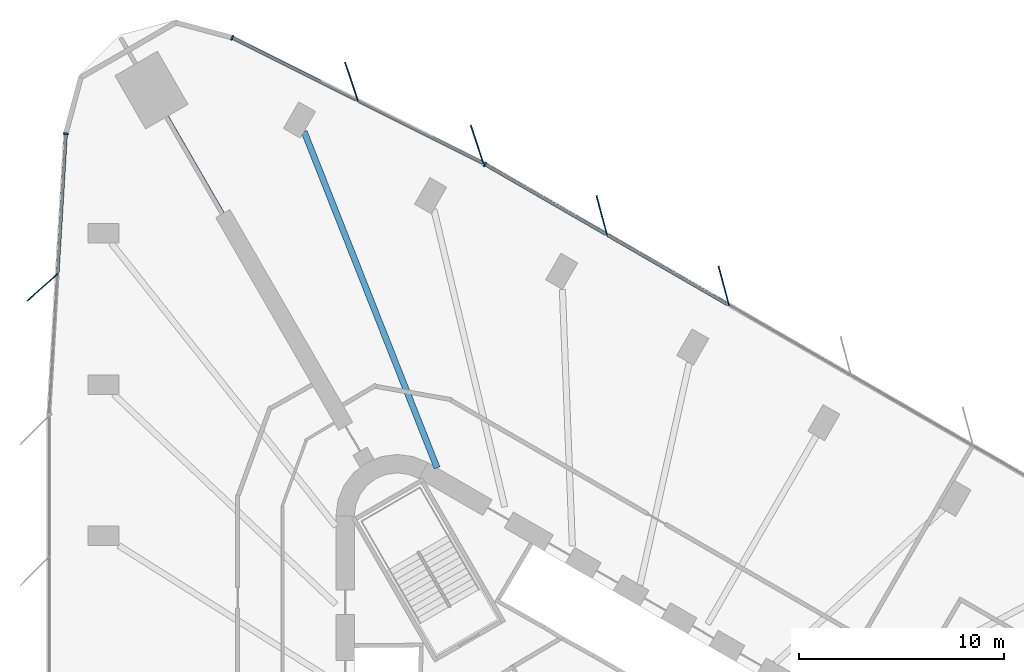
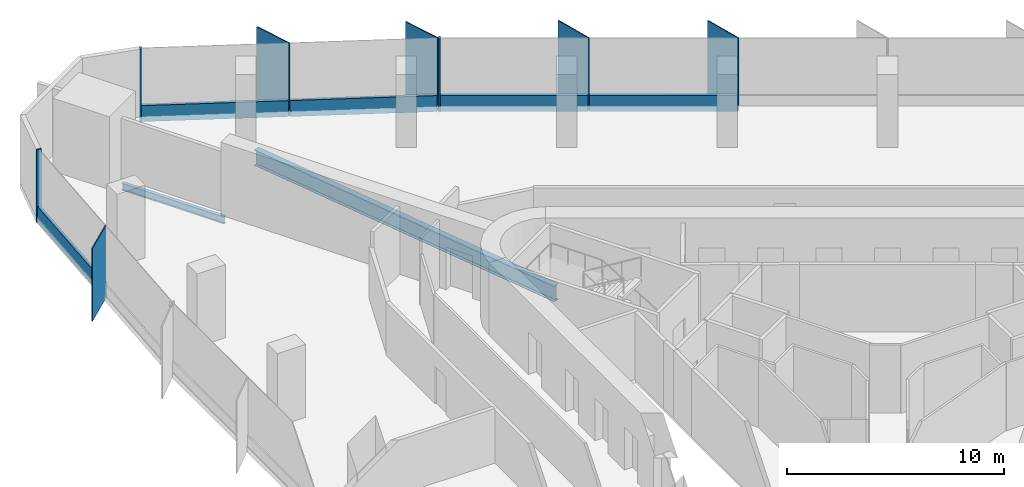
# One storey, part 7 of 14: 13 members, 2 beams, 3 elements without a shape of their own.
"""IFC4 building model written with IfcOpenShell, lengths in metres."""

from ifc_helpers import new_model, si_unit, direction, frame, origin, origin_2d, place, context, subcontext, project, spatial, rectangle, i_section, extrude, material, material_profile, profile_set, type_object, element, aggregate, save


model = new_model("IFC4")

# Units and contexts
model_context = context("Model", 3, precision=1e-05, world=origin(), true_north=direction((0.0, 1.0)))
body_context = subcontext(model_context, "Body", "Model", "MODEL_VIEW")
ifc_project = project(units=[si_unit("LENGTHUNIT", "METRE"), si_unit("AREAUNIT", "SQUARE_METRE"), si_unit("VOLUMEUNIT", "CUBIC_METRE"), si_unit("PLANEANGLEUNIT", "RADIAN"), si_unit("MASSUNIT", "GRAM", prefix="KILO")], contexts=[model_context])

# Site, building, storey
site_placement = place(None, origin())
site = spatial("IfcSite", under=ifc_project, at=site_placement, CompositionType="ELEMENT")
building_placement = place(site_placement, origin())
building = spatial("IfcBuilding", under=site, at=building_placement, Name="Tanit Gate Tower", CompositionType="ELEMENT")
storey_placement = place(building_placement, frame((0.0, 0.0, 49.60009765625)))
storey = spatial("IfcBuildingStorey", under=building, at=storey_placement, Name="L08", CompositionType="ELEMENT", Elevation=49.60009765625)

# Curtain wall, members
ifc_material_1 = material(Name="Aluminium bronze anodised and glass", Category="aluminium")
curtain_wall_type = type_object("IfcCurtainWallType", Name="Curtain wall typical low", PredefinedType="NOTDEFINED", material=ifc_material_1)
curtain_wall_1_placement = place(storey_placement, origin())
curtain_wall_1 = element("IfcCurtainWall", 1, at=curtain_wall_1_placement, inside=storey, type_object=curtain_wall_type, Name="Curtain wall L08 NE2", PredefinedType="NOTDEFINED")
ifc_material_2 = material(Name="Aluminium bronze anodised", Category="aluminium")
ifc_material_profile_1 = material_profile(ifc_material_2, rectangle(XDim=2.0, YDim=0.055908203125, at=origin_2d()), Name="56x2000 bronze fin mullion")
ifc_profile_set_1 = profile_set([ifc_material_profile_1], Name="Aluminium bronze anodised")
member_type_1 = type_object("IfcMemberType", Name="FIN MULLION 56x2000 bronze", PredefinedType="MULLION", material=ifc_profile_set_1)
member_1_placement = place(storey_placement, frame((6.841064453125, 26.9951171875, -0.300048828125), z_axis=(0.0, 0.0, 1.0), x_axis=(0.258886020591, -0.965907877772, 0.0)))
member_1 = element("IfcMember", 2, at=member_1_placement, type_object=member_type_1, Name="Fin mullion L08 NE2.5", PredefinedType="MULLION", context=body_context, shape_type="SweptSolid", body=[
    extrude(rectangle(XDim=2.0, YDim=0.055908203125, at=origin_2d()), origin(), (0.0, 0.0, 1.0), 4.099853515625),
])
member_2_placement = place(storey_placement, frame((0.881103515625, 30.435546875, -0.300048828125), z_axis=(0.0, 0.0, 1.0), x_axis=(0.258886020591, -0.965907877772, 0.0)))
member_2 = element("IfcMember", 3, at=member_2_placement, type_object=member_type_1, Name="Fin mullion L08 NE2.6", PredefinedType="MULLION", context=body_context, shape_type="SweptSolid", body=[
    extrude(rectangle(XDim=2.0, YDim=0.055908203125, at=origin_2d()), origin(), (0.0, 0.0, 1.0), 4.099853515625),
])

curtain_wall_2_placement = place(storey_placement, origin())
curtain_wall_2 = element("IfcCurtainWall", 4, at=curtain_wall_2_placement, inside=storey, type_object=curtain_wall_type, Name="Curtain wall L08 NE3", PredefinedType="NOTDEFINED")
member_3_placement = place(storey_placement, frame((-5.205078125, 33.897216796875, -0.300048828125), z_axis=(0.0, 0.0, 1.0), x_axis=(0.315932535729, -0.94878165711, 0.0)))
member_3 = element("IfcMember", 5, at=member_3_placement, type_object=member_type_1, Name="Fin mullion L08 NE3.1", PredefinedType="MULLION", context=body_context, shape_type="SweptSolid", body=[
    extrude(rectangle(XDim=2.0, YDim=0.055908203125, at=origin_2d()), origin(), (0.0, 0.0, 1.0), 4.099853515625),
])
member_4_placement = place(storey_placement, frame((-11.340576171875, 36.96728515625, -0.300048828125), z_axis=(0.0, 0.0, 1.0), x_axis=(0.315932535729, -0.94878165711, 0.0)))
member_4 = element("IfcMember", 6, at=member_4_placement, type_object=member_type_1, Name="Fin mullion L08 NE3.2", PredefinedType="MULLION", context=body_context, shape_type="SweptSolid", body=[
    extrude(rectangle(XDim=2.0, YDim=0.055908203125, at=origin_2d()), origin(), (0.0, 0.0, 1.0), 4.099853515625),
])

# Curtain wall, member
curtain_wall_3_placement = place(storey_placement, origin())
curtain_wall_3 = element("IfcCurtainWall", 7, at=curtain_wall_3_placement, inside=storey, type_object=curtain_wall_type, Name="Curtain wall L08 W1", PredefinedType="NOTDEFINED")
member_5_placement = place(storey_placement, frame((-26.42822265625, 26.925048828125, -0.300048828125), z_axis=(0.0, 0.0, 1.0), x_axis=(0.748133983092, 0.663547694852, 0.0)))
member_5 = element("IfcMember", 8, at=member_5_placement, type_object=member_type_1, Name="Fin mullion L08 W1.2", PredefinedType="MULLION", context=body_context, shape_type="SweptSolid", body=[
    extrude(rectangle(XDim=2.0, YDim=0.055908203125, at=origin_2d()), origin(), (0.0, 0.0, 1.0), 4.099853515625),
])

# Member
ifc_material_3 = material(Name="Aluminium bronze anodised", Category="aluminium")
ifc_material_profile_2 = material_profile(ifc_material_3, rectangle(XDim=0.239990234375, YDim=0.080078125, at=origin_2d()), Name="80x240 bronze mullion")
ifc_profile_set_2 = profile_set([ifc_material_profile_2], Name="Aluminium bronze anodised")
member_type_2 = type_object("IfcMemberType", Name="Mullion 80x240 typical low", PredefinedType="MULLION", material=ifc_profile_set_2)
member_6_placement = place(storey_placement, frame((-4.825927734375, 32.931884765625, -0.300048828125), z_axis=(0.0, 0.0, 1.0), x_axis=(-0.49993994966, -0.866060071089, 0.0)))
member_6 = element("IfcMember", 9, at=member_6_placement, type_object=member_type_2, Name="Mullion L08 NE2.7", PredefinedType="MULLION", context=body_context, shape_type="SweptSolid", body=[
    extrude(rectangle(XDim=0.239990234375, YDim=0.080078125, at=origin_2d()), origin(), (0.0, 0.0, 1.0), 4.099853515625),
])

member_7_placement = place(storey_placement, frame((-17.167236328125, 39.110107421875, -0.300048828125), z_axis=(0.0, 0.0, 1.0), x_axis=(-0.447491905196, -0.894287982019, 0.0)))
member_7 = element("IfcMember", 10, at=member_7_placement, type_object=member_type_2, Name="Mullion L08 NE3.3", PredefinedType="MULLION", context=body_context, shape_type="SweptSolid", body=[
    extrude(rectangle(XDim=0.239990234375, YDim=0.080078125, at=origin_2d()), origin(), (0.0, 0.0, 1.0), 4.099853515625),
])

member_8_placement = place(storey_placement, frame((-25.286865234375, 34.422119140625, -0.300048828125), z_axis=(0.0, 0.0, 1.0), x_axis=(0.998209687351, -0.059811538009, 0.0)))
member_8 = element("IfcMember", 11, at=member_8_placement, type_object=member_type_2, Name="Mullion L08 W1.1", PredefinedType="MULLION", context=body_context, shape_type="SweptSolid", body=[
    extrude(rectangle(XDim=0.239990234375, YDim=0.080078125, at=origin_2d()), origin(), (0.0, 0.0, 1.0), 4.099853515625),
])

# Beams
ifc_material_4 = material(Name="Steel S355", Category="steel")
ifc_material_profile_3 = material_profile(ifc_material_4, i_section(OverallWidth=0.300048828125, OverallDepth=0.889892578125, WebThickness=0.01611328125, FlangeThickness=0.030029296875, FilletRadius=0.030029296875, at=origin_2d()), Name="HEA 900")
ifc_profile_set_3 = profile_set([ifc_material_profile_3], Name="Steel S355")
beam_type_1 = type_object("IfcBeamType", Name="RADIAL GIRDER HEA 900 S355", PredefinedType="BEAM", material=ifc_profile_set_3)
beam_1_placement = place(storey_placement, frame((-13.655029296875, 34.5302734375, -0.7451171875), z_axis=(0.36773841244, -0.929929276889, 0.0), x_axis=(0.929929276889, 0.36773841244, 0.0)))
element("IfcBeam", 12, at=beam_1_placement, inside=storey, type_object=beam_type_1, Name="RADIAL GIRDER", PredefinedType="BEAM", context=body_context, shape_type="SweptSolid", body=[
    extrude(i_section(OverallWidth=0.300048828125, OverallDepth=0.889892578125, WebThickness=0.01611328125, FlangeThickness=0.030029296875, FilletRadius=0.030029296875, at=origin_2d()), origin(), (0.0, 0.0, 1.0), 17.658935546875),
])
ifc_material_5 = material(Name="Steel S355", Category="steel")
ifc_material_profile_4 = material_profile(ifc_material_5, i_section(OverallWidth=0.179931640625, OverallDepth=0.39990234375, WebThickness=0.008544921875, FlangeThickness=0.013427734375, FilletRadius=0.02099609375, at=origin_2d()), Name="IPE 400")
ifc_profile_set_4 = profile_set([ifc_material_profile_4], Name="Steel S355")
beam_type_2 = type_object("IfcBeamType", Name="RADIAL GIRDER IPE 400 S355", PredefinedType="BEAM", material=ifc_profile_set_4)
beam_2_placement = place(storey_placement, frame((-20.355712890625, 35.257080078125, -0.5), z_axis=(0.500017734461, -0.866015164547, 0.0), x_axis=(0.866015164547, 0.500017734461, 0.0)))
element("IfcBeam", 13, at=beam_2_placement, inside=storey, type_object=beam_type_2, Name="RADIAL GIRDER", PredefinedType="BEAM", context=body_context, shape_type="SweptSolid", body=[
    extrude(i_section(OverallWidth=0.179931640625, OverallDepth=0.39990234375, WebThickness=0.008544921875, FlangeThickness=0.013427734375, FilletRadius=0.02099609375, at=origin_2d()), origin(), (0.0, 0.0, 1.0), 5.463134765625),
])

# Member
ifc_material_6 = material(Name="Aluminium bronze anodised", Category="aluminium")
ifc_material_profile_5 = material_profile(ifc_material_6, rectangle(XDim=0.159912109375, YDim=0.89990234375, at=origin_2d()), Name="160x900 bronze transom")
ifc_profile_set_5 = profile_set([ifc_material_profile_5], Name="Aluminium bronze anodised")
member_type_3 = type_object("IfcMemberType", Name="Transom 160x900 typical low", PredefinedType="USERDEFINED", material=ifc_profile_set_5)
member_9_placement = place(storey_placement, frame((7.0595703125, 26.071044921875, 0.14990234375), z_axis=(-0.866070234236, 0.49992234334, 0.0), x_axis=(-0.49992234334, -0.866070234236, 0.0)))
member_9 = element("IfcMember", 14, at=member_9_placement, type_object=member_type_3, Name="Transom L08 NE2.5", ObjectType="TRANSOM", PredefinedType="USERDEFINED", context=body_context, shape_type="SweptSolid", body=[
    extrude(rectangle(XDim=0.159912109375, YDim=0.89990234375, at=origin_2d()), origin(), (0.0, 0.0, 1.0), 6.8017578125),
])

member_10_placement = place(storey_placement, frame((1.099609375, 29.511474609375, 0.14990234375), z_axis=(-0.866070234236, 0.49992234334, 0.0), x_axis=(-0.49992234334, -0.866070234236, 0.0)))
member_10 = element("IfcMember", 15, at=member_10_placement, type_object=member_type_3, Name="Transom L08 NE2.6", ObjectType="TRANSOM", PredefinedType="USERDEFINED", context=body_context, shape_type="SweptSolid", body=[
    extrude(rectangle(XDim=0.159912109375, YDim=0.89990234375, at=origin_2d()), origin(), (0.0, 0.0, 1.0), 6.8017578125),
])

aggregate(curtain_wall_1, [member_1, member_2, member_6, member_9, member_10])

member_11_placement = place(storey_placement, frame((-4.93212890625, 32.98779296875, 0.14990234375), z_axis=(-0.894290324915, 0.447487223016, 0.0), x_axis=(-0.447487223016, -0.894290324915, 0.0)))
member_11 = element("IfcMember", 16, at=member_11_placement, type_object=member_type_3, Name="Transom L08 NE3.1", ObjectType="TRANSOM", PredefinedType="USERDEFINED", context=body_context, shape_type="SweptSolid", body=[
    extrude(rectangle(XDim=0.159912109375, YDim=0.89990234375, at=origin_2d()), origin(), (0.0, 0.0, 1.0), 6.780517578125),
])

member_12_placement = place(storey_placement, frame((-11.0673828125, 36.057861328125, 0.14990234375), z_axis=(-0.894297534657, 0.447472814265, 0.0), x_axis=(-0.447472814265, -0.894297534657, 0.0)))
member_12 = element("IfcMember", 17, at=member_12_placement, type_object=member_type_3, Name="Transom L08 NE3.2", ObjectType="TRANSOM", PredefinedType="USERDEFINED", context=body_context, shape_type="SweptSolid", body=[
    extrude(rectangle(XDim=0.159912109375, YDim=0.89990234375, at=origin_2d()), origin(), (0.0, 0.0, 1.0), 6.78076171875),
])

aggregate(curtain_wall_2, [member_3, member_4, member_7, member_11, member_12])

member_13_placement = place(storey_placement, frame((-25.2890625, 34.38232421875, 0.14990234375), z_axis=(-0.059838478518, -0.998208072743, 0.0), x_axis=(0.998208072743, -0.059838478518, 0.0)))
member_13 = element("IfcMember", 18, at=member_13_placement, type_object=member_type_3, Name="Transom L08 W1.1", ObjectType="TRANSOM", PredefinedType="USERDEFINED", context=body_context, shape_type="SweptSolid", body=[
    extrude(rectangle(XDim=0.159912109375, YDim=0.89990234375, at=origin_2d()), origin(), (0.0, 0.0, 1.0), 6.781005859375),
])

aggregate(curtain_wall_3, [member_8, member_5, member_13])

save(model, "model.ifc")
